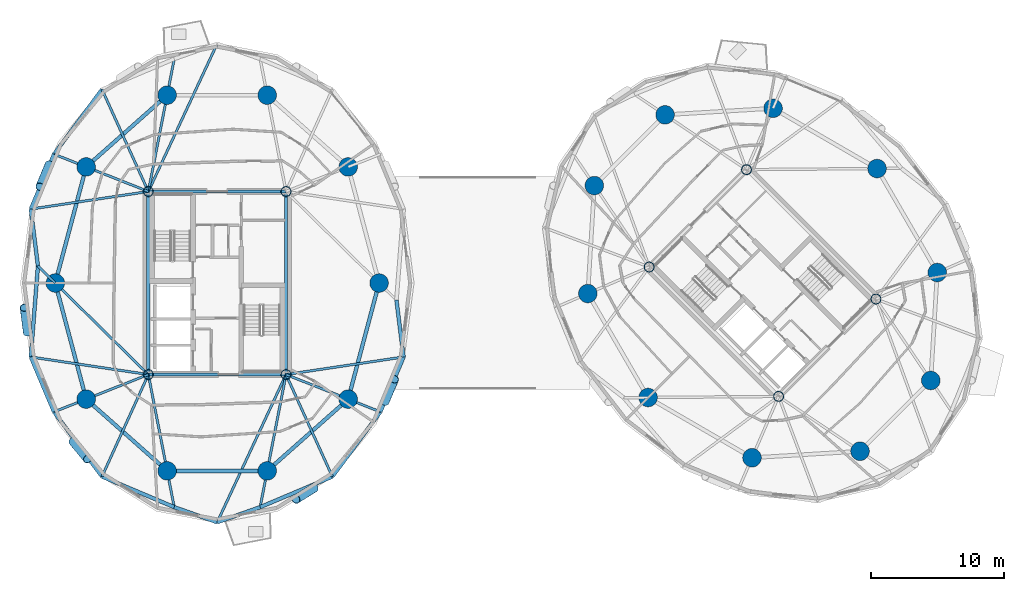
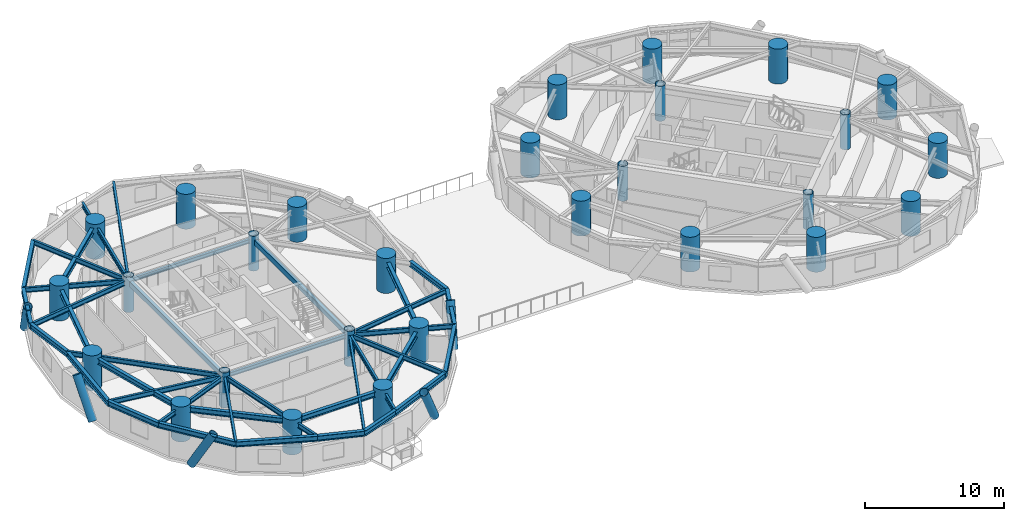
# One storey, part 1 of 19: 40 beams, 28 columns, 5 members.
"""IFC4 building model written with IfcOpenShell, lengths in metres."""

from ifc_helpers import new_model, si_unit, direction, frame, origin, origin_2d, place, context, subcontext, project, spatial, hollow_rectangle, circle, hollow_circle, i_section, extrude, material, material_profile, profile_set, type_object, element, save


model = new_model("IFC4")

# Units and contexts
model_context = context("Model", 3, precision=1e-05, world=origin(), true_north=direction((0.0, 1.0)))
body_context = subcontext(model_context, "Body", "Model", "MODEL_VIEW")
ifc_project = project(units=[si_unit("LENGTHUNIT", "METRE"), si_unit("AREAUNIT", "SQUARE_METRE"), si_unit("VOLUMEUNIT", "CUBIC_METRE"), si_unit("PLANEANGLEUNIT", "RADIAN"), si_unit("MASSUNIT", "GRAM", prefix="KILO")], contexts=[model_context])

# Site, building, storey
site_placement = place(None, origin())
site = spatial("IfcSite", under=ifc_project, at=site_placement, CompositionType="ELEMENT")
building_placement = place(site_placement, origin())
building = spatial("IfcBuilding", under=site, at=building_placement, Name="Cununo Teusaquillo Station Towers", CompositionType="ELEMENT")
storey_placement = place(building_placement, frame((0.0, 0.0, 144.0400390625)))
storey = spatial("IfcBuildingStorey", under=building, at=storey_placement, Name="L45", CompositionType="ELEMENT", Elevation=144.0400390625)

# Columns
ifc_material_1 = material(Name="Steel EN 10025-2 S355J2", Category="steel")
ifc_material_profile_1 = material_profile(ifc_material_1, hollow_circle(Radius=0.3798828125, WallThickness=0.031982421875, at=origin_2d()), Name="CHS 760x32")
ifc_profile_set_1 = profile_set([ifc_material_profile_1], Name="Steel EN 10025-2 S355J2")
column_type_1 = type_object("IfcColumnType", Name="COL-CORE-Z2", PredefinedType="COLUMN", material=ifc_profile_set_1)
for number, where, z_axis, x_axis, name in (
    (1, (11.324951171875, 17.6201171875, 0.0), (0.0, 0.0, 1.0), (1.0, 0.0, 0.0), "L45 Tower A Core Column 1"),
    (2, (11.324951171875, 31.3798828125, 0.0), (0.0, 0.0, 1.0), (1.0, 0.0, 0.0), "L45 Tower A Core Column 2"),
    (3, (21.675048828125, 17.6201171875, 0.0), (0.0, 0.0, 1.0), (1.0, 0.0, 0.0), "L45 Tower A Core Column 3"),
    (4, (21.675048828125, 31.3798828125, 0.0), (0.0, 0.0, 1.0), (1.0, 0.0, 0.0), "L45 Tower A Core Column 4"),
    (5, (58.70556640625, 15.975830078125, 0.0), (0.0, 0.0, 1.0), (0.707106781187, 0.707106781187, 0.0), "L45 Tower B Core Column 1"),
    (6, (48.975830078125, 25.70556640625, 0.0), (0.0, 0.0, 1.0), (0.707106781187, 0.707106781187, 0.0), "L45 Tower B Core Column 2"),
    (7, (66.024169921875, 23.29443359375, 0.0), (0.0, 0.0, 1.0), (0.707106781187, 0.707106781187, 0.0), "L45 Tower B Core Column 3"),
    (8, (56.29443359375, 33.024169921875, 0.0), (0.0, 0.0, 1.0), (0.707106781187, 0.707106781187, 0.0), "L45 Tower B Core Column 4"),
):
    element("IfcColumn", number, at=place(storey_placement, frame(where, z_axis=z_axis, x_axis=x_axis)), inside=storey, type_object=column_type_1, Name=name, PredefinedType="COLUMN", context=body_context, shape_type="SweptSolid", body=[
        extrude(hollow_circle(Radius=0.3798828125, WallThickness=0.031982421875, at=origin_2d()), origin(), (0.0, 0.0, 1.0), 3.06005859375),
    ])
ifc_material_2 = material(Name="Concrete C60/75", Category="concrete")
ifc_material_profile_2 = material_profile(ifc_material_2, circle(Radius=0.699951171875, at=origin_2d()), Name="RC-CIRC-1400")
ifc_profile_set_2 = profile_set([ifc_material_profile_2], Name="Concrete C60/75")
column_type_2 = type_object("IfcColumnType", Name="COL-MEGA-Z2", PredefinedType="USERDEFINED", material=ifc_profile_set_2)
for number, where, z_axis, x_axis, name in (
    (9, (28.672119140625, 24.5, 0.0), (0.0, 0.0, 1.0), (1.0, 0.0, 0.0), "L45 Tower A Perimeter Column V00"),
    (10, (26.347412109375, 33.228515625, 0.0), (0.0, 0.0, 1.0), (1.0, 0.0, 0.0), "L45 Tower A Perimeter Column V02"),
    (11, (20.261474609375, 38.623291015625, 0.0), (0.0, 0.0, 1.0), (1.0, 0.0, 0.0), "L45 Tower A Perimeter Column V04"),
    (12, (12.738525390625, 38.623291015625, 0.0), (0.0, 0.0, 1.0), (1.0, 0.0, 0.0), "L45 Tower A Perimeter Column V06"),
    (13, (6.652587890625, 33.228515625, 0.0), (0.0, 0.0, 1.0), (1.0, 0.0, 0.0), "L45 Tower A Perimeter Column V08"),
    (14, (4.327880859375, 24.5, 0.0), (0.0, 0.0, 1.0), (1.0, 0.0, 0.0), "L45 Tower A Perimeter Column V10"),
    (15, (6.652587890625, 15.771484375, 0.0), (0.0, 0.0, 1.0), (1.0, 0.0, 0.0), "L45 Tower A Perimeter Column V12"),
    (16, (12.738525390625, 10.376708984375, 0.0), (0.0, 0.0, 1.0), (1.0, 0.0, 0.0), "L45 Tower A Perimeter Column V14"),
    (17, (20.261474609375, 10.376708984375, 0.0), (0.0, 0.0, 1.0), (1.0, 0.0, 0.0), "L45 Tower A Perimeter Column V16"),
    (18, (26.347412109375, 15.771484375, 0.0), (0.0, 0.0, 1.0), (1.0, 0.0, 0.0), "L45 Tower A Perimeter Column V18"),
    (19, (66.10693359375, 33.10693359375, 0.0), (0.0, 0.0, 1.0), (1.0, 0.0, 0.0), "L45 Tower B Perimeter Column V00"),
    (20, (58.291015625, 37.63525390625, 0.0), (0.0, 0.0, 1.0), (1.0, 0.0, 0.0), "L45 Tower B Perimeter Column V02"),
    (21, (50.173095703125, 37.146240234375, 0.0), (0.0, 0.0, 1.0), (1.0, 0.0, 0.0), "L45 Tower B Perimeter Column V04"),
    (22, (44.853759765625, 31.826904296875, 0.0), (0.0, 0.0, 1.0), (1.0, 0.0, 0.0), "L45 Tower B Perimeter Column V06"),
    (23, (44.36474609375, 23.708984375, 0.0), (0.0, 0.0, 1.0), (1.0, 0.0, 0.0), "L45 Tower B Perimeter Column V08"),
    (24, (48.89306640625, 15.89306640625, 0.0), (0.0, 0.0, 1.0), (1.0, 0.0, 0.0), "L45 Tower B Perimeter Column V10"),
    (25, (56.708984375, 11.36474609375, 0.0), (0.0, 0.0, 1.0), (1.0, 0.0, 0.0), "L45 Tower B Perimeter Column V12"),
    (26, (64.826904296875, 11.853759765625, 0.0), (0.0, 0.0, 1.0), (1.0, 0.0, 0.0), "L45 Tower B Perimeter Column V14"),
    (27, (70.146240234375, 17.173095703125, 0.0), (0.0, 0.0, 1.0), (1.0, 0.0, 0.0), "L45 Tower B Perimeter Column V16"),
    (28, (70.63525390625, 25.291015625, 0.0), (0.0, 0.0, 1.0), (1.0, 0.0, 0.0), "L45 Tower B Perimeter Column V18"),
):
    element("IfcColumn", number, at=place(storey_placement, frame(where, z_axis=z_axis, x_axis=x_axis)), inside=storey, type_object=column_type_2, Name=name, ObjectType="MEGA COLUMN", PredefinedType="USERDEFINED", context=body_context, shape_type="SweptSolid", body=[
        extrude(circle(Radius=0.699951171875, at=origin_2d()), origin(), (0.0, 0.0, 1.0), 3.06005859375),
    ])

# Beams
ifc_material_3 = material(Name="Steel EN 10025-2 S355J2", Category="steel")
ifc_material_profile_3 = material_profile(ifc_material_3, hollow_rectangle(XDim=0.25, YDim=0.449951171875, WallThickness=0.01611328125, at=origin_2d()), Name="RHS 450x250x16")
ifc_profile_set_3 = profile_set([ifc_material_profile_3], Name="Steel EN 10025-2 S355J2")
beam_type_1 = type_object("IfcBeamType", Name="BM-COUP-1", PredefinedType="USERDEFINED", material=ifc_profile_set_3)
for number, where, z_axis, x_axis, name in (
    (29, (11.324951171875, 17.6201171875, 2.494873046875), (0.0, 1.0, 0.0), (-1.0, 0.0, 0.0), "L45 Tower A Core Beam 1"),
    (30, (21.675048828125, 17.6201171875, 2.494873046875), (0.0, 1.0, 0.0), (-1.0, 0.0, 0.0), "L45 Tower A Core Beam 2"),
):
    element("IfcBeam", number, at=place(storey_placement, frame(where, z_axis=z_axis, x_axis=x_axis)), inside=storey, type_object=beam_type_1, Name=name, ObjectType="COUPLING BEAM", PredefinedType="USERDEFINED", context=body_context, shape_type="SweptSolid", body=[
        extrude(hollow_rectangle(XDim=0.25, YDim=0.449951171875, WallThickness=0.01611328125, at=origin_2d()), origin(), (0.0, 0.0, 1.0), 13.759765625),
    ])
ifc_material_4 = material(Name="Steel ASTM A572 Grade 50", Category="steel")
ifc_material_profile_4 = material_profile(ifc_material_4, i_section(OverallWidth=0.180908203125, OverallDepth=0.4169921875, WebThickness=0.010986328125, FlangeThickness=0.018310546875, FilletRadius=0.012939453125, at=origin_2d()), Name="W16X57")
ifc_profile_set_4 = profile_set([ifc_material_profile_4], Name="Steel ASTM A572 Grade 50")
beam_type_2 = type_object("IfcBeamType", Name="BM-JOIST-1", PredefinedType="JOIST", material=ifc_profile_set_4)
beam_1_placement = place(storey_placement, frame((11.324951171875, 31.3798828125, 2.511474609375), z_axis=(0.422237603969, 0.906485193368, 0.0), x_axis=(-0.906485193368, 0.422237603969, 0.0)))
element("IfcBeam", 31, at=beam_1_placement, inside=storey, type_object=beam_type_2, Name="L45 Tower A Radial Spandrel Joist V05", PredefinedType="JOIST", context=body_context, shape_type="SweptSolid", body=[
    extrude(i_section(OverallWidth=0.180908203125, OverallDepth=0.4169921875, WebThickness=0.010986328125, FlangeThickness=0.018310546875, FilletRadius=0.012939453125, at=origin_2d()), origin(), (0.0, 0.0, 1.0), 12.25634765625),
])
beam_2_placement = place(storey_placement, frame((11.324951171875, 31.3798828125, 2.511474609375), z_axis=(-0.413558514621, 0.910477542274, 0.0), x_axis=(-0.910477542274, -0.413558514621, 0.0)))
element("IfcBeam", 32, at=beam_2_placement, inside=storey, type_object=beam_type_2, Name="L45 Tower A Radial Spandrel Joist V07", PredefinedType="JOIST", context=body_context, shape_type="SweptSolid", body=[
    extrude(i_section(OverallWidth=0.180908203125, OverallDepth=0.4169921875, WebThickness=0.010986328125, FlangeThickness=0.018310546875, FilletRadius=0.012939453125, at=origin_2d()), origin(), (0.0, 0.0, 1.0), 8.428955078125),
])
for number, where, z_axis, x_axis, name in (
    (33, (11.324951171875, 31.3798828125, 2.511474609375), (-0.989018754675, -0.147790063606, 0.0), (0.147790063606, -0.989018754675, 0.0), "L45 Tower A Radial Spandrel Joist V09"),
    (34, (11.324951171875, 17.6201171875, 2.511474609375), (-0.989018754675, 0.147790063606, 0.0), (-0.147790063606, -0.989018754675, 0.0), "L45 Tower A Radial Spandrel Joist V11"),
):
    element("IfcBeam", number, at=place(storey_placement, frame(where, z_axis=z_axis, x_axis=x_axis)), inside=storey, type_object=beam_type_2, Name=name, PredefinedType="JOIST", context=body_context, shape_type="SweptSolid", body=[
        extrude(i_section(OverallWidth=0.180908203125, OverallDepth=0.4169921875, WebThickness=0.010986328125, FlangeThickness=0.018310546875, FilletRadius=0.012939453125, at=origin_2d()), origin(), (0.0, 0.0, 1.0), 8.93701171875),
    ])
beam_3_placement = place(storey_placement, frame((11.324951171875, 17.6201171875, 2.511474609375), z_axis=(-0.413558514621, -0.910477542274, 0.0), x_axis=(0.910477542274, -0.413558514621, 0.0)))
element("IfcBeam", 35, at=beam_3_placement, inside=storey, type_object=beam_type_2, Name="L45 Tower A Radial Spandrel Joist V13", PredefinedType="JOIST", context=body_context, shape_type="SweptSolid", body=[
    extrude(i_section(OverallWidth=0.180908203125, OverallDepth=0.4169921875, WebThickness=0.010986328125, FlangeThickness=0.018310546875, FilletRadius=0.012939453125, at=origin_2d()), origin(), (0.0, 0.0, 1.0), 8.428955078125),
])
beam_4_placement = place(storey_placement, frame((21.675048828125, 17.6201171875, 2.511474609375), z_axis=(-0.422237603969, -0.906485193368, 0.0), x_axis=(0.906485193368, -0.422237603969, 0.0)))
element("IfcBeam", 36, at=beam_4_placement, inside=storey, type_object=beam_type_2, Name="L45 Tower A Radial Spandrel Joist V15", PredefinedType="JOIST", context=body_context, shape_type="SweptSolid", body=[
    extrude(i_section(OverallWidth=0.180908203125, OverallDepth=0.4169921875, WebThickness=0.010986328125, FlangeThickness=0.018310546875, FilletRadius=0.012939453125, at=origin_2d()), origin(), (0.0, 0.0, 1.0), 12.25634765625),
])
beam_5_placement = place(storey_placement, frame((21.675048828125, 17.6201171875, 2.511474609375), z_axis=(0.413558514621, -0.910477542274, 0.0), x_axis=(0.910477542274, 0.413558514621, 0.0)))
element("IfcBeam", 37, at=beam_5_placement, inside=storey, type_object=beam_type_2, Name="L45 Tower A Radial Spandrel Joist V17", PredefinedType="JOIST", context=body_context, shape_type="SweptSolid", body=[
    extrude(i_section(OverallWidth=0.180908203125, OverallDepth=0.4169921875, WebThickness=0.010986328125, FlangeThickness=0.018310546875, FilletRadius=0.012939453125, at=origin_2d()), origin(), (0.0, 0.0, 1.0), 8.428955078125),
])
beam_6_placement = place(storey_placement, frame((21.675048828125, 17.6201171875, 2.511474609375), z_axis=(0.989018754675, 0.147790063606, 0.0), x_axis=(-0.147790063606, 0.989018754675, 0.0)))
element("IfcBeam", 38, at=beam_6_placement, inside=storey, type_object=beam_type_2, Name="L45 Tower A Radial Spandrel Joist V19", PredefinedType="JOIST", context=body_context, shape_type="SweptSolid", body=[
    extrude(i_section(OverallWidth=0.180908203125, OverallDepth=0.4169921875, WebThickness=0.010986328125, FlangeThickness=0.018310546875, FilletRadius=0.012939453125, at=origin_2d()), origin(), (0.0, 0.0, 1.0), 8.93701171875),
])
ifc_material_5 = material(Name="Steel ASTM A572 Grade 50", Category="steel")
ifc_material_profile_5 = material_profile(ifc_material_5, i_section(OverallWidth=0.2041015625, OverallDepth=0.35009765625, WebThickness=0.008544921875, FlangeThickness=0.01513671875, FilletRadius=0.011962890625, at=origin_2d()), Name="W14X48")
ifc_profile_set_5 = profile_set([ifc_material_profile_5], Name="Steel ASTM A572 Grade 50")
beam_type_3 = type_object("IfcBeamType", Name="BM-LINTEL-1", PredefinedType="LINTEL", material=ifc_profile_set_5)
for number, where, z_axis, x_axis, name in (
    (39, (11.324951171875, 17.6201171875, 2.544921875), (1.0, 0.0, 0.0), (0.0, 1.0, 0.0), "L45 Tower A Core Beam 3"),
    (40, (11.324951171875, 31.3798828125, 2.544921875), (1.0, 0.0, 0.0), (0.0, 1.0, 0.0), "L45 Tower A Core Beam 4"),
):
    element("IfcBeam", number, at=place(storey_placement, frame(where, z_axis=z_axis, x_axis=x_axis)), inside=storey, type_object=beam_type_3, Name=name, PredefinedType="LINTEL", context=body_context, shape_type="SweptSolid", body=[
        extrude(i_section(OverallWidth=0.2041015625, OverallDepth=0.35009765625, WebThickness=0.008544921875, FlangeThickness=0.01513671875, FilletRadius=0.011962890625, at=origin_2d()), origin(), (0.0, 0.0, 1.0), 10.35009765625),
    ])
ifc_material_6 = material(Name="Steel ASTM A572 Grade 50", Category="steel")
ifc_material_profile_6 = material_profile(ifc_material_6, i_section(OverallWidth=0.180908203125, OverallDepth=0.4169921875, WebThickness=0.010986328125, FlangeThickness=0.018310546875, FilletRadius=0.012939453125, at=origin_2d()), Name="W16X57")
ifc_profile_set_6 = profile_set([ifc_material_profile_6], Name="Steel ASTM A572 Grade 50")
beam_type_4 = type_object("IfcBeamType", Name="BM-RAD-G2", PredefinedType="BEAM", material=ifc_profile_set_6)
beam_7_placement = place(storey_placement, frame((11.324951171875, 31.3798828125, 2.511474609375), z_axis=(0.191552706487, 0.981482328235, 0.0), x_axis=(-0.981482328235, 0.191552706487, 0.0)))
element("IfcBeam", 41, at=beam_7_placement, inside=storey, type_object=beam_type_4, Name="L45 Tower A Continuous Overhanging Radial Girder 04", PredefinedType="BEAM", context=body_context, shape_type="SweptSolid", body=[
    extrude(i_section(OverallWidth=0.180908203125, OverallDepth=0.4169921875, WebThickness=0.010986328125, FlangeThickness=0.018310546875, FilletRadius=0.012939453125, at=origin_2d()), origin(), (0.0, 0.0, 1.0), 10.159423828125),
])
beam_8_placement = place(storey_placement, frame((11.324951171875, 31.3798828125, 2.511474609375), z_axis=(-0.929862250459, 0.367907862341, 0.0), x_axis=(-0.367907862341, -0.929862250459, 0.0)))
element("IfcBeam", 42, at=beam_8_placement, inside=storey, type_object=beam_type_4, Name="L45 Tower A Continuous Overhanging Radial Girder 05", PredefinedType="BEAM", context=body_context, shape_type="SweptSolid", body=[
    extrude(i_section(OverallWidth=0.180908203125, OverallDepth=0.4169921875, WebThickness=0.010986328125, FlangeThickness=0.018310546875, FilletRadius=0.012939453125, at=origin_2d()), origin(), (0.0, 0.0, 1.0), 7.632080078125),
])
beam_9_placement = place(storey_placement, frame((11.324951171875, 17.6201171875, 2.511474609375), z_axis=(-0.713052701438, 0.701110437073, 0.0), x_axis=(-0.701110437073, -0.713052701438, 0.0)))
element("IfcBeam", 43, at=beam_9_placement, inside=storey, type_object=beam_type_4, Name="L45 Tower A Radial Girder 06A", PredefinedType="BEAM", context=body_context, shape_type="SweptSolid", body=[
    extrude(i_section(OverallWidth=0.180908203125, OverallDepth=0.4169921875, WebThickness=0.010986328125, FlangeThickness=0.018310546875, FilletRadius=0.012939453125, at=origin_2d()), origin(), (0.0, 0.0, 1.0), 9.812744140625),
])
beam_10_placement = place(storey_placement, frame((4.327880859375, 24.5, 2.511474609375), z_axis=(-0.713027019349, 0.701136555657, 0.0), x_axis=(-0.701136555657, -0.713027019349, 0.0)))
element("IfcBeam", 44, at=beam_10_placement, inside=storey, type_object=beam_type_4, Name="L45 Tower A Perimeter Overhang Girder 06B", PredefinedType="BEAM", context=body_context, shape_type="SweptSolid", body=[
    extrude(i_section(OverallWidth=0.180908203125, OverallDepth=0.4169921875, WebThickness=0.010986328125, FlangeThickness=0.018310546875, FilletRadius=0.012939453125, at=origin_2d()), origin(), (0.0, 0.0, 1.0), 1.827392578125),
])
beam_11_placement = place(storey_placement, frame((11.324951171875, 17.6201171875, 2.511474609375), z_axis=(-0.929862250459, -0.367907862341, 0.0), x_axis=(0.367907862341, -0.929862250459, 0.0)))
element("IfcBeam", 45, at=beam_11_placement, inside=storey, type_object=beam_type_4, Name="L45 Tower A Continuous Overhanging Radial Girder 07", PredefinedType="BEAM", context=body_context, shape_type="SweptSolid", body=[
    extrude(i_section(OverallWidth=0.180908203125, OverallDepth=0.4169921875, WebThickness=0.010986328125, FlangeThickness=0.018310546875, FilletRadius=0.012939453125, at=origin_2d()), origin(), (0.0, 0.0, 1.0), 7.632080078125),
])
for number, where, z_axis, x_axis, name in (
    (46, (11.324951171875, 17.6201171875, 2.511474609375), (0.191552706487, -0.981482328235, 0.0), (0.981482328235, 0.191552706487, 0.0), "L45 Tower A Continuous Overhanging Radial Girder 08"),
    (47, (21.675048828125, 17.6201171875, 2.511474609375), (-0.191552706487, -0.981482328235, 0.0), (0.981482328235, -0.191552706487, 0.0), "L45 Tower A Continuous Overhanging Radial Girder 09"),
):
    element("IfcBeam", number, at=place(storey_placement, frame(where, z_axis=z_axis, x_axis=x_axis)), inside=storey, type_object=beam_type_4, Name=name, PredefinedType="BEAM", context=body_context, shape_type="SweptSolid", body=[
        extrude(i_section(OverallWidth=0.180908203125, OverallDepth=0.4169921875, WebThickness=0.010986328125, FlangeThickness=0.018310546875, FilletRadius=0.012939453125, at=origin_2d()), origin(), (0.0, 0.0, 1.0), 10.159423828125),
    ])
beam_12_placement = place(storey_placement, frame((21.675048828125, 17.6201171875, 2.511474609375), z_axis=(0.929862250459, -0.367907862341, 0.0), x_axis=(0.367907862341, 0.929862250459, 0.0)))
element("IfcBeam", 48, at=beam_12_placement, inside=storey, type_object=beam_type_4, Name="L45 Tower A Continuous Overhanging Radial Girder 10", PredefinedType="BEAM", context=body_context, shape_type="SweptSolid", body=[
    extrude(i_section(OverallWidth=0.180908203125, OverallDepth=0.4169921875, WebThickness=0.010986328125, FlangeThickness=0.018310546875, FilletRadius=0.012939453125, at=origin_2d()), origin(), (0.0, 0.0, 1.0), 7.632080078125),
])
ifc_material_7 = material(Name="Steel ASTM A572 Grade 50", Category="steel")
ifc_material_profile_7 = material_profile(ifc_material_7, i_section(OverallWidth=0.280029296875, OverallDepth=0.462890625, WebThickness=0.0107421875, FlangeThickness=0.017333984375, FilletRadius=0.013916015625, at=origin_2d()), Name="W18X76")
ifc_profile_set_7 = profile_set([ifc_material_profile_7], Name="Steel ASTM A572 Grade 50")
beam_type_5 = type_object("IfcBeamType", Name="BM-RING-Z2", PredefinedType="SPANDREL", material=ifc_profile_set_7)
beam_13_placement = place(storey_placement, frame((12.738525390625, 38.623291015625, 2.488525390625), z_axis=(-0.74832120039, -0.66333655187, 0.0), x_axis=(0.66333655187, -0.74832120039, 0.0)))
element("IfcBeam", 49, at=beam_13_placement, inside=storey, type_object=beam_type_5, Name="L45 Tower A Structural Column Ring Girder 04", PredefinedType="SPANDREL", context=body_context, shape_type="SweptSolid", body=[
    extrude(i_section(OverallWidth=0.280029296875, OverallDepth=0.462890625, WebThickness=0.0107421875, FlangeThickness=0.017333984375, FilletRadius=0.013916015625, at=origin_2d()), origin(), (0.0, 0.0, 1.0), 8.1328125),
])
for number, where, z_axis, x_axis, name in (
    (50, (6.652587890625, 33.228515625, 2.488525390625), (-0.257363196347, -0.966314744359, 0.0), (0.966314744359, -0.257363196347, 0.0), "L45 Tower A Structural Column Ring Girder 05"),
    (51, (4.327880859375, 24.5, 2.488525390625), (0.257363196347, -0.966314744359, 0.0), (0.966314744359, 0.257363196347, 0.0), "L45 Tower A Structural Column Ring Girder 06"),
):
    element("IfcBeam", number, at=place(storey_placement, frame(where, z_axis=z_axis, x_axis=x_axis)), inside=storey, type_object=beam_type_5, Name=name, PredefinedType="SPANDREL", context=body_context, shape_type="SweptSolid", body=[
        extrude(i_section(OverallWidth=0.280029296875, OverallDepth=0.462890625, WebThickness=0.0107421875, FlangeThickness=0.017333984375, FilletRadius=0.013916015625, at=origin_2d()), origin(), (0.0, 0.0, 1.0), 9.03271484375),
    ])
beam_14_placement = place(storey_placement, frame((6.652587890625, 15.771484375, 2.488525390625), z_axis=(0.74832120039, -0.66333655187, 0.0), x_axis=(0.66333655187, 0.74832120039, 0.0)))
element("IfcBeam", 52, at=beam_14_placement, inside=storey, type_object=beam_type_5, Name="L45 Tower A Structural Column Ring Girder 07", PredefinedType="SPANDREL", context=body_context, shape_type="SweptSolid", body=[
    extrude(i_section(OverallWidth=0.280029296875, OverallDepth=0.462890625, WebThickness=0.0107421875, FlangeThickness=0.017333984375, FilletRadius=0.013916015625, at=origin_2d()), origin(), (0.0, 0.0, 1.0), 8.1328125),
])
beam_15_placement = place(storey_placement, frame((12.738525390625, 10.376708984375, 2.488525390625), z_axis=(1.0, 0.0, 0.0), x_axis=(0.0, 1.0, 0.0)))
element("IfcBeam", 53, at=beam_15_placement, inside=storey, type_object=beam_type_5, Name="L45 Tower A Structural Column Ring Girder 08", PredefinedType="SPANDREL", context=body_context, shape_type="SweptSolid", body=[
    extrude(i_section(OverallWidth=0.280029296875, OverallDepth=0.462890625, WebThickness=0.0107421875, FlangeThickness=0.017333984375, FilletRadius=0.013916015625, at=origin_2d()), origin(), (0.0, 0.0, 1.0), 7.52294921875),
])
beam_16_placement = place(storey_placement, frame((20.261474609375, 10.376708984375, 2.488525390625), z_axis=(0.74832120039, 0.66333655187, 0.0), x_axis=(-0.66333655187, 0.74832120039, 0.0)))
element("IfcBeam", 54, at=beam_16_placement, inside=storey, type_object=beam_type_5, Name="L45 Tower A Structural Column Ring Girder 09", PredefinedType="SPANDREL", context=body_context, shape_type="SweptSolid", body=[
    extrude(i_section(OverallWidth=0.280029296875, OverallDepth=0.462890625, WebThickness=0.0107421875, FlangeThickness=0.017333984375, FilletRadius=0.013916015625, at=origin_2d()), origin(), (0.0, 0.0, 1.0), 8.1328125),
])
beam_17_placement = place(storey_placement, frame((26.347412109375, 15.771484375, 2.488525390625), z_axis=(0.257363196347, 0.966314744359, 0.0), x_axis=(-0.966314744359, 0.257363196347, 0.0)))
element("IfcBeam", 55, at=beam_17_placement, inside=storey, type_object=beam_type_5, Name="L45 Tower A Structural Column Ring Girder 10", PredefinedType="SPANDREL", context=body_context, shape_type="SweptSolid", body=[
    extrude(i_section(OverallWidth=0.280029296875, OverallDepth=0.462890625, WebThickness=0.0107421875, FlangeThickness=0.017333984375, FilletRadius=0.013916015625, at=origin_2d()), origin(), (0.0, 0.0, 1.0), 9.03271484375),
])
beam_18_placement = place(storey_placement, frame((7.839111328125, 39.05419921875, 2.488525390625), z_axis=(-0.595872908853, -0.803078748626, 0.0), x_axis=(0.803078748626, -0.595872908853, 0.0)))
element("IfcBeam", 56, at=beam_18_placement, inside=storey, type_object=beam_type_5, Name="L45 Tower A Spandrel Ring Beam 08", PredefinedType="SPANDREL", context=body_context, shape_type="SweptSolid", body=[
    extrude(i_section(OverallWidth=0.280029296875, OverallDepth=0.462890625, WebThickness=0.0107421875, FlangeThickness=0.017333984375, FilletRadius=0.013916015625, at=origin_2d()), origin(), (0.0, 0.0, 1.0), 6.059814453125),
])
beam_19_placement = place(storey_placement, frame((4.228271484375, 34.187744140625, 2.488525390625), z_axis=(-0.388777827816, -0.921331536744, 0.0), x_axis=(0.921331536744, -0.388777827816, 0.0)))
element("IfcBeam", 57, at=beam_19_placement, inside=storey, type_object=beam_type_5, Name="L45 Tower A Spandrel Ring Beam 09", PredefinedType="SPANDREL", context=body_context, shape_type="SweptSolid", body=[
    extrude(i_section(OverallWidth=0.280029296875, OverallDepth=0.462890625, WebThickness=0.0107421875, FlangeThickness=0.017333984375, FilletRadius=0.013916015625, at=origin_2d()), origin(), (0.0, 0.0, 1.0), 4.481201171875),
])
beam_20_placement = place(storey_placement, frame((2.486083984375, 30.05908203125, 2.488525390625), z_axis=(0.124968535363, -0.992160705314, 0.0), x_axis=(0.992160705314, 0.124968535363, 0.0)))
element("IfcBeam", 58, at=beam_20_placement, inside=storey, type_object=beam_type_5, Name="L45 Tower A Spandrel Ring Beam 10", PredefinedType="SPANDREL", context=body_context, shape_type="SweptSolid", body=[
    extrude(i_section(OverallWidth=0.280029296875, OverallDepth=0.462890625, WebThickness=0.0107421875, FlangeThickness=0.017333984375, FilletRadius=0.013916015625, at=origin_2d()), origin(), (0.0, 0.0, 1.0), 4.3115234375),
])
beam_21_placement = place(storey_placement, frame((3.02490234375, 25.78125, 2.488525390625), z_axis=(-0.078527541639, -0.996911944559, 0.0), x_axis=(0.996911944559, -0.078527541639, 0.0)))
element("IfcBeam", 59, at=beam_21_placement, inside=storey, type_object=beam_type_5, Name="L45 Tower A Spandrel Ring Beam 11", PredefinedType="SPANDREL", context=body_context, shape_type="SweptSolid", body=[
    extrude(i_section(OverallWidth=0.280029296875, OverallDepth=0.462890625, WebThickness=0.0107421875, FlangeThickness=0.017333984375, FilletRadius=0.013916015625, at=origin_2d()), origin(), (0.0, 0.0, 1.0), 6.861572265625),
])
beam_22_placement = place(storey_placement, frame((2.486083984375, 18.94091796875, 2.488525390625), z_axis=(0.388777827816, -0.921331536744, 0.0), x_axis=(0.921331536744, 0.388777827816, 0.0)))
element("IfcBeam", 60, at=beam_22_placement, inside=storey, type_object=beam_type_5, Name="L45 Tower A Spandrel Ring Beam 12", PredefinedType="SPANDREL", context=body_context, shape_type="SweptSolid", body=[
    extrude(i_section(OverallWidth=0.280029296875, OverallDepth=0.462890625, WebThickness=0.0107421875, FlangeThickness=0.017333984375, FilletRadius=0.013916015625, at=origin_2d()), origin(), (0.0, 0.0, 1.0), 4.481201171875),
])
beam_23_placement = place(storey_placement, frame((4.228271484375, 14.812255859375, 2.488525390625), z_axis=(0.595872908853, -0.803078748626, 0.0), x_axis=(0.803078748626, 0.595872908853, 0.0)))
element("IfcBeam", 61, at=beam_23_placement, inside=storey, type_object=beam_type_5, Name="L45 Tower A Spandrel Ring Beam 13", PredefinedType="SPANDREL", context=body_context, shape_type="SweptSolid", body=[
    extrude(i_section(OverallWidth=0.280029296875, OverallDepth=0.462890625, WebThickness=0.0107421875, FlangeThickness=0.017333984375, FilletRadius=0.013916015625, at=origin_2d()), origin(), (0.0, 0.0, 1.0), 6.059814453125),
])
beam_24_placement = place(storey_placement, frame((7.839111328125, 9.94580078125, 2.488525390625), z_axis=(0.921042081118, -0.38946307246, 0.0), x_axis=(0.38946307246, 0.921042081118, 0.0)))
element("IfcBeam", 62, at=beam_24_placement, inside=storey, type_object=beam_type_5, Name="L45 Tower A Spandrel Ring Beam 14", PredefinedType="SPANDREL", context=body_context, shape_type="SweptSolid", body=[
    extrude(i_section(OverallWidth=0.280029296875, OverallDepth=0.462890625, WebThickness=0.0107421875, FlangeThickness=0.017333984375, FilletRadius=0.013916015625, at=origin_2d()), origin(), (0.0, 0.0, 1.0), 5.8974609375),
])
for number, where, z_axis, x_axis, name in (
    (63, (13.27099609375, 7.64892578125, 2.488525390625), (0.943057449198, -0.332629895698, 0.0), (0.332629895698, 0.943057449198, 0.0), "L45 Tower A Spandrel Ring Beam 15"),
    (64, (16.5, 6.510009765625, 2.488525390625), (0.943057449198, 0.332629895698, 0.0), (-0.332629895698, 0.943057449198, 0.0), "L45 Tower A Spandrel Ring Beam 16"),
):
    element("IfcBeam", number, at=place(storey_placement, frame(where, z_axis=z_axis, x_axis=x_axis)), inside=storey, type_object=beam_type_5, Name=name, PredefinedType="SPANDREL", context=body_context, shape_type="SweptSolid", body=[
        extrude(i_section(OverallWidth=0.280029296875, OverallDepth=0.462890625, WebThickness=0.0107421875, FlangeThickness=0.017333984375, FilletRadius=0.013916015625, at=origin_2d()), origin(), (0.0, 0.0, 1.0), 3.424072265625),
    ])
beam_25_placement = place(storey_placement, frame((19.72900390625, 7.64892578125, 2.488525390625), z_axis=(0.921042081118, 0.38946307246, 0.0), x_axis=(-0.38946307246, 0.921042081118, 0.0)))
element("IfcBeam", 65, at=beam_25_placement, inside=storey, type_object=beam_type_5, Name="L45 Tower A Spandrel Ring Beam 17", PredefinedType="SPANDREL", context=body_context, shape_type="SweptSolid", body=[
    extrude(i_section(OverallWidth=0.280029296875, OverallDepth=0.462890625, WebThickness=0.0107421875, FlangeThickness=0.017333984375, FilletRadius=0.013916015625, at=origin_2d()), origin(), (0.0, 0.0, 1.0), 5.8974609375),
])
beam_26_placement = place(storey_placement, frame((25.160888671875, 9.94580078125, 2.488525390625), z_axis=(0.595872908853, 0.803078748626, 0.0), x_axis=(-0.803078748626, 0.595872908853, 0.0)))
element("IfcBeam", 66, at=beam_26_placement, inside=storey, type_object=beam_type_5, Name="L45 Tower A Spandrel Ring Beam 18", PredefinedType="SPANDREL", context=body_context, shape_type="SweptSolid", body=[
    extrude(i_section(OverallWidth=0.280029296875, OverallDepth=0.462890625, WebThickness=0.0107421875, FlangeThickness=0.017333984375, FilletRadius=0.013916015625, at=origin_2d()), origin(), (0.0, 0.0, 1.0), 6.059814453125),
])
beam_27_placement = place(storey_placement, frame((28.771728515625, 14.812255859375, 2.488525390625), z_axis=(0.388777827816, 0.921331536744, 0.0), x_axis=(-0.921331536744, 0.388777827816, 0.0)))
element("IfcBeam", 67, at=beam_27_placement, inside=storey, type_object=beam_type_5, Name="L45 Tower A Spandrel Ring Beam 19", PredefinedType="SPANDREL", context=body_context, shape_type="SweptSolid", body=[
    extrude(i_section(OverallWidth=0.280029296875, OverallDepth=0.462890625, WebThickness=0.0107421875, FlangeThickness=0.017333984375, FilletRadius=0.013916015625, at=origin_2d()), origin(), (0.0, 0.0, 1.0), 4.481201171875),
])
beam_28_placement = place(storey_placement, frame((30.513916015625, 18.94091796875, 2.488525390625), z_axis=(-0.124968535363, 0.992160705314, 0.0), x_axis=(-0.992160705314, -0.124968535363, 0.0)))
element("IfcBeam", 68, at=beam_28_placement, inside=storey, type_object=beam_type_5, Name="L45 Tower A Spandrel Ring Beam 20", PredefinedType="SPANDREL", context=body_context, shape_type="SweptSolid", body=[
    extrude(i_section(OverallWidth=0.280029296875, OverallDepth=0.462890625, WebThickness=0.0107421875, FlangeThickness=0.017333984375, FilletRadius=0.013916015625, at=origin_2d()), origin(), (0.0, 0.0, 1.0), 4.3115234375),
])

# Members
ifc_material_8 = material(Name="Steel EN 10025-2 S355J2", Category="steel")
ifc_material_profile_8 = material_profile(ifc_material_8, hollow_circle(Radius=0.330078125, WallThickness=0.02490234375, at=origin_2d()), Name="CHS 660x25")
ifc_profile_set_8 = profile_set([ifc_material_profile_8], Name="Steel EN 10025-2 S355J2")
member_type = type_object("IfcMemberType", Name="MBR-DIAG-Z2", PredefinedType="BRACE", material=ifc_profile_set_8)
member_1_placement = place(storey_placement, frame((3.881591796875, 33.402587890625, -0.14013671875), z_axis=(-0.196218503987, -0.470086807837, 0.860532795302), x_axis=(0.922833497828, -0.385199085262, 0.0)))
element("IfcMember", 69, at=member_1_placement, inside=storey, type_object=member_type, Name="L45 Tower A Folded-Zigzag Diagrid Tube C08", PredefinedType="BRACE", context=body_context, shape_type="SweptSolid", body=[
    extrude(hollow_circle(Radius=0.330078125, WallThickness=0.02490234375, at=origin_2d()), origin(), (0.0, 0.0, 1.0), 3.555908203125),
])
member_2_placement = place(storey_placement, frame((2.245849609375, 20.7939453125, -0.14013671875), z_axis=(-0.067070541953, 0.5168176786, 0.853464134858), x_axis=(-0.991683988528, -0.1286968022, 0.0)))
element("IfcMember", 70, at=member_2_placement, inside=storey, type_object=member_type, Name="L45 Tower A Folded-Zigzag Diagrid Tube C10", PredefinedType="BRACE", context=body_context, shape_type="SweptSolid", body=[
    extrude(hollow_circle(Radius=0.330078125, WallThickness=0.02490234375, at=origin_2d()), origin(), (0.0, 0.0, 1.0), 3.58544921875),
])
member_3_placement = place(storey_placement, frame((5.665771484375, 12.59912109375, -0.14013671875), z_axis=(0.309784517544, -0.378200195087, 0.872352087821), x_axis=(0.773608318417, 0.633664082678, 0.0)))
element("IfcMember", 71, at=member_3_placement, inside=storey, type_object=member_type, Name="L45 Tower A Folded-Zigzag Diagrid Tube C12", PredefinedType="BRACE", context=body_context, shape_type="SweptSolid", body=[
    extrude(hollow_circle(Radius=0.330078125, WallThickness=0.02490234375, at=origin_2d()), origin(), (0.0, 0.0, 1.0), 3.5078125),
])
member_4_placement = place(storey_placement, frame((23.791748046875, 9.093994140625, -0.14013671875), z_axis=(-0.395829736564, -0.246264256575, 0.884687931186), x_axis=(0.528255801217, -0.849085277508, 0.0)))
element("IfcMember", 72, at=member_4_placement, inside=storey, type_object=member_type, Name="L45 Tower A Folded-Zigzag Diagrid Tube C16", PredefinedType="BRACE", context=body_context, shape_type="SweptSolid", body=[
    extrude(hollow_circle(Radius=0.330078125, WallThickness=0.02490234375, at=origin_2d()), origin(), (0.0, 0.0, 1.0), 3.458984375),
])
member_5_placement = place(storey_placement, frame((29.118408203125, 15.597412109375, -0.14013671875), z_axis=(0.196218503987, 0.470086807837, 0.860532795302), x_axis=(-0.922833497828, 0.385199085262, 0.0)))
element("IfcMember", 73, at=member_5_placement, inside=storey, type_object=member_type, Name="L45 Tower A Folded-Zigzag Diagrid Tube C18", PredefinedType="BRACE", context=body_context, shape_type="SweptSolid", body=[
    extrude(hollow_circle(Radius=0.330078125, WallThickness=0.02490234375, at=origin_2d()), origin(), (0.0, 0.0, 1.0), 3.555908203125),
])

save(model, "model.ifc")
